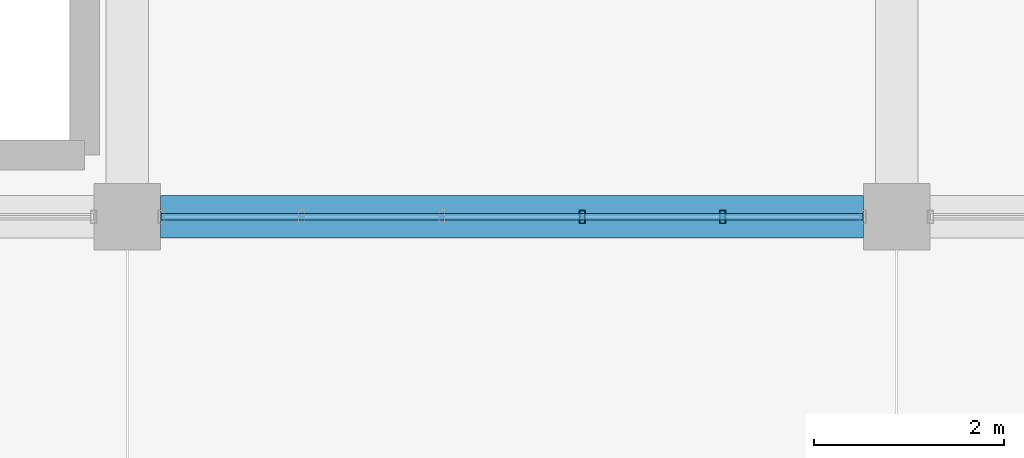
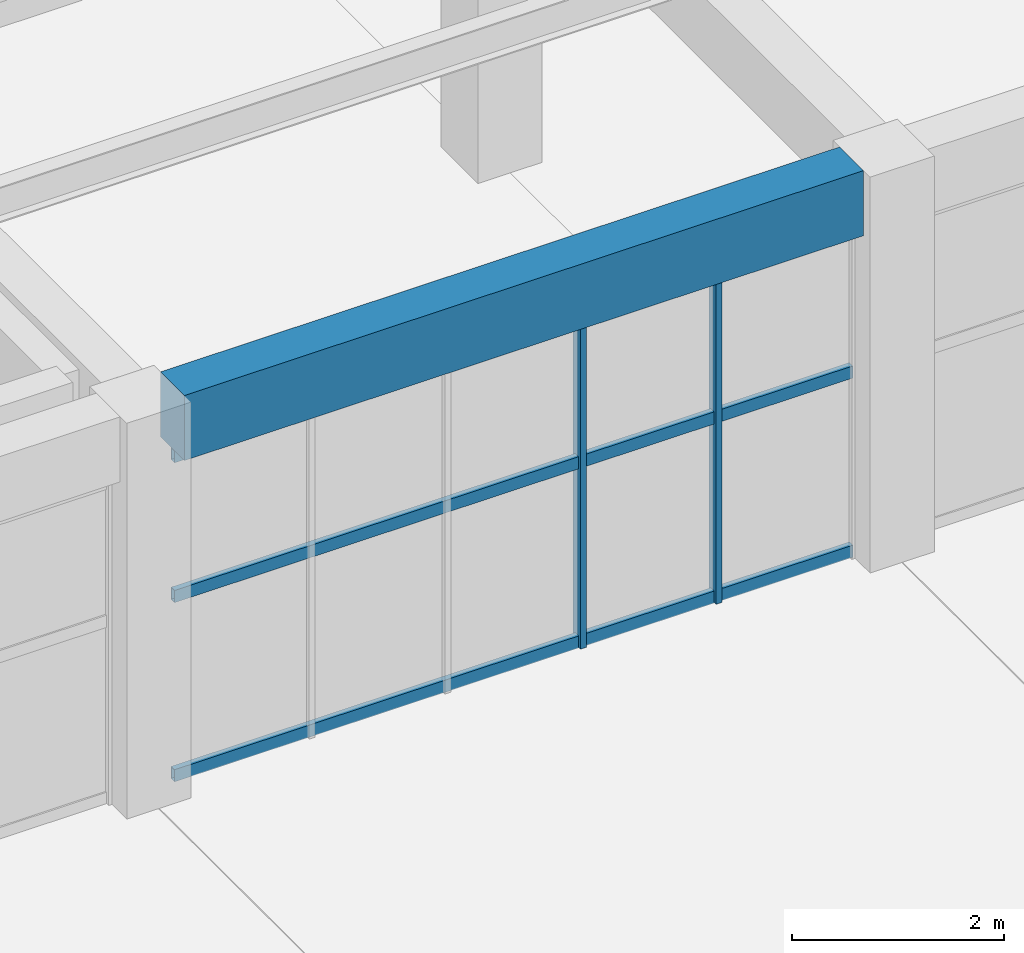
# One storey, part 7 of 161: 5 members, 1 beam, 1 element without a shape of its own.
"""IFC4 building model written with IfcOpenShell, lengths in metres."""

from ifc_helpers import new_model, si_unit, direction, frame, origin, origin_2d, place, context, subcontext, project, spatial, rectangle, hollow_rectangle, extrude, material, material_profile, profile_set, type_object, element, aggregate, save


model = new_model("IFC4")

# Units and contexts
model_context = context("Model", 3, precision=1e-05, world=origin(), true_north=direction((0.0, 1.0)))
body_context = subcontext(model_context, "Body", "Model", "MODEL_VIEW")
ifc_project = project(units=[si_unit("LENGTHUNIT", "METRE"), si_unit("AREAUNIT", "SQUARE_METRE"), si_unit("VOLUMEUNIT", "CUBIC_METRE"), si_unit("PLANEANGLEUNIT", "RADIAN"), si_unit("MASSUNIT", "GRAM", prefix="KILO")], contexts=[model_context])

# Site, building, storey
site_placement = place(None, origin())
site = spatial("IfcSite", under=ifc_project, at=site_placement, CompositionType="ELEMENT")
building_placement = place(site_placement, origin())
building = spatial("IfcBuilding", under=site, at=building_placement, Name="Cimatlan Art Gallery", CompositionType="ELEMENT")
storey_placement = place(building_placement, frame((0.0, 0.0, 5.39990234375)))
storey = spatial("IfcBuildingStorey", under=building, at=storey_placement, Name="L01", CompositionType="ELEMENT", Elevation=5.39990234375)

# Beam
ifc_material_1 = material(Name="Concrete C40/50", Category="concrete")
ifc_material_profile_1 = material_profile(ifc_material_1, rectangle(XDim=0.449951171875, YDim=0.75, at=origin_2d()), Name="RC450X750")
ifc_profile_set_1 = profile_set([ifc_material_profile_1], Name="Concrete C40/50")
beam_type = type_object("IfcBeamType", Name="BM-RC-450X750", PredefinedType="BEAM", material=ifc_profile_set_1)
beam_placement = place(storey_placement, frame((42.85009765625, 23.89990234375, 4.18505859375), z_axis=(1.0, 0.0, 0.0), x_axis=(0.0, 1.0, 0.0)))
element("IfcBeam", 1, at=beam_placement, inside=storey, type_object=beam_type, Name="BM-X-L01-05-03", PredefinedType="BEAM", context=body_context, shape_type="SweptSolid", body=[
    extrude(rectangle(XDim=0.449951171875, YDim=0.75, at=origin_2d()), origin(), (0.0, 0.0, 1.0), 7.39990234375),
])

# Curtain wall, members
ifc_material_2 = material(Name="Anodised bronze unitised curtain wall")
curtain_wall_type = type_object("IfcCurtainWallType", Name="CW-V-07392X03795-B5", PredefinedType="NOTDEFINED", material=ifc_material_2)
curtain_wall_placement = place(storey_placement, origin())
curtain_wall = element("IfcCurtainWall", 2, at=curtain_wall_placement, inside=storey, type_object=curtain_wall_type, Name="CW-L01-05-03-S", PredefinedType="NOTDEFINED")
ifc_material_3 = material(Name="Anodised bronze aluminium 6063-T6", Category="aluminium")
ifc_material_profile_2 = material_profile(ifc_material_3, hollow_rectangle(XDim=0.06494140625, YDim=0.139892578125, WallThickness=0.00390625, at=origin_2d()), Name="ALU65X140X4")
ifc_profile_set_2 = profile_set([ifc_material_profile_2], Name="Anodised bronze aluminium 6063-T6")
member_type_1 = type_object("IfcMemberType", Name="CW-MUL-140", PredefinedType="MULLION", material=ifc_profile_set_2)
member_1_placement = place(storey_placement, frame((48.767578125, 23.89990234375, 0.0), z_axis=(0.0, 0.0, 1.0), x_axis=(1.0, 0.0, 0.0)))
member_1 = element("IfcMember", 3, at=member_1_placement, type_object=member_type_1, Name="CW-L01-05-03-S-M2", PredefinedType="MULLION", context=body_context, shape_type="SweptSolid", body=[
    extrude(hollow_rectangle(XDim=0.06494140625, YDim=0.139892578125, WallThickness=0.00390625, at=origin_2d()), origin(), (0.0, 0.0, 1.0), 3.795166015625),
])
member_2_placement = place(storey_placement, frame((47.289306640625, 23.89990234375, 0.0), z_axis=(0.0, 0.0, 1.0), x_axis=(1.0, 0.0, 0.0)))
member_2 = element("IfcMember", 4, at=member_2_placement, type_object=member_type_1, Name="CW-L01-05-03-S-M3", PredefinedType="MULLION", context=body_context, shape_type="SweptSolid", body=[
    extrude(hollow_rectangle(XDim=0.06494140625, YDim=0.139892578125, WallThickness=0.00390625, at=origin_2d()), origin(), (0.0, 0.0, 1.0), 3.795166015625),
])
ifc_material_profile_3 = material_profile(ifc_material_3, hollow_rectangle(XDim=0.06494140625, YDim=0.139892578125, WallThickness=0.00390625, at=origin_2d()), Name="ALU65X140X4")
ifc_profile_set_3 = profile_set([ifc_material_profile_3], Name="Anodised bronze aluminium 6063-T6")
member_type_2 = type_object("IfcMemberType", Name="CW-TRN-140", PredefinedType="USERDEFINED", material=ifc_profile_set_3)
member_3_placement = place(storey_placement, frame((50.24609375, 23.89990234375, 0.06005859375), z_axis=(-1.0, 0.0, 0.0), x_axis=(0.0, -1.0, 0.0)))
member_3 = element("IfcMember", 5, at=member_3_placement, type_object=member_type_2, Name="CW-L01-05-03-S-T1", ObjectType="TRANSOM", PredefinedType="USERDEFINED", context=body_context, shape_type="SweptSolid", body=[
    extrude(hollow_rectangle(XDim=0.06494140625, YDim=0.139892578125, WallThickness=0.00390625, at=origin_2d()), origin(), (0.0, 0.0, 1.0), 7.39208984375),
])
member_4_placement = place(storey_placement, frame((50.24609375, 23.89990234375, 2.125244140625), z_axis=(-1.0, 0.0, 0.0), x_axis=(0.0, -1.0, 0.0)))
member_4 = element("IfcMember", 6, at=member_4_placement, type_object=member_type_2, Name="CW-L01-05-03-S-T2", ObjectType="TRANSOM", PredefinedType="USERDEFINED", context=body_context, shape_type="SweptSolid", body=[
    extrude(hollow_rectangle(XDim=0.06494140625, YDim=0.139892578125, WallThickness=0.00390625, at=origin_2d()), origin(), (0.0, 0.0, 1.0), 7.39208984375),
])
member_5_placement = place(storey_placement, frame((50.24609375, 23.89990234375, 3.735107421875), z_axis=(-1.0, 0.0, 0.0), x_axis=(0.0, -1.0, 0.0)))
member_5 = element("IfcMember", 7, at=member_5_placement, type_object=member_type_2, Name="CW-L01-05-03-S-T3", ObjectType="TRANSOM", PredefinedType="USERDEFINED", context=body_context, shape_type="SweptSolid", body=[
    extrude(hollow_rectangle(XDim=0.06494140625, YDim=0.139892578125, WallThickness=0.00390625, at=origin_2d()), origin(), (0.0, 0.0, 1.0), 7.39208984375),
])
aggregate(curtain_wall, [member_1, member_2, member_3, member_4, member_5])

save(model, "model.ifc")
